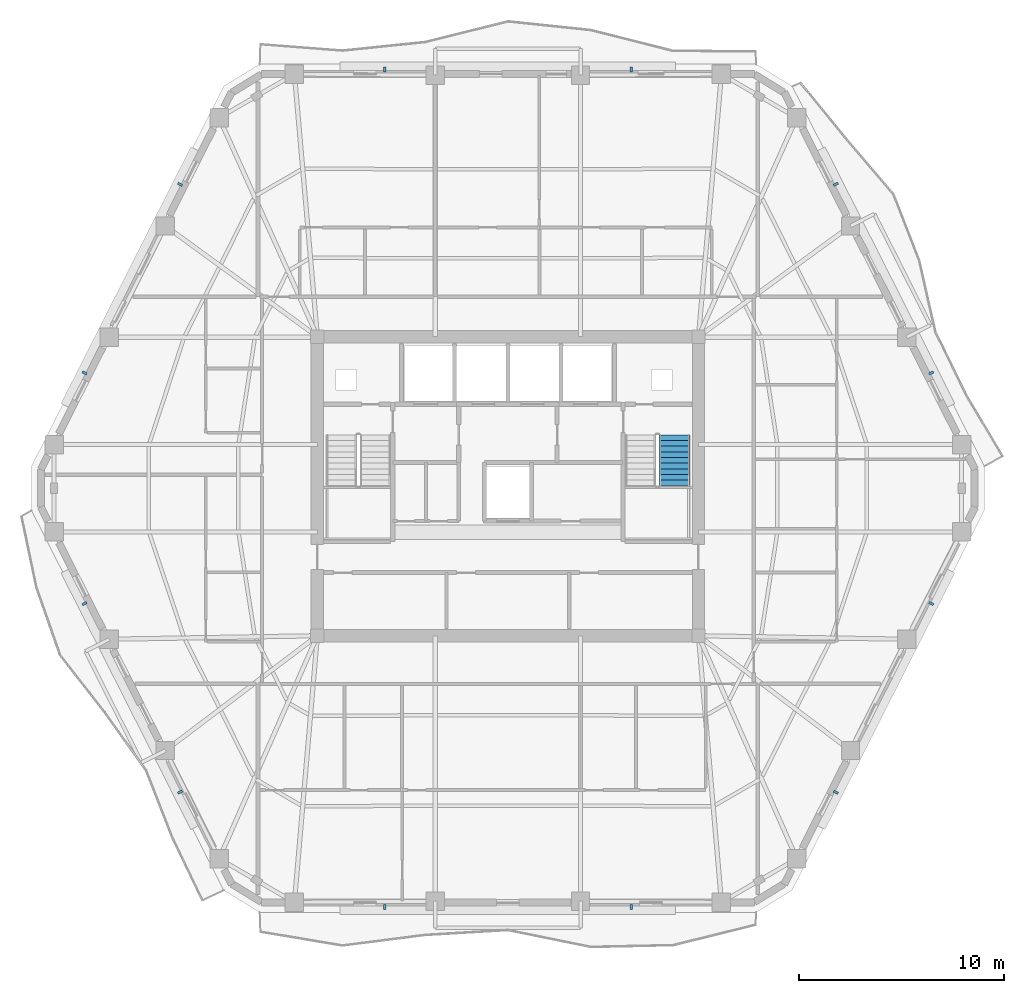
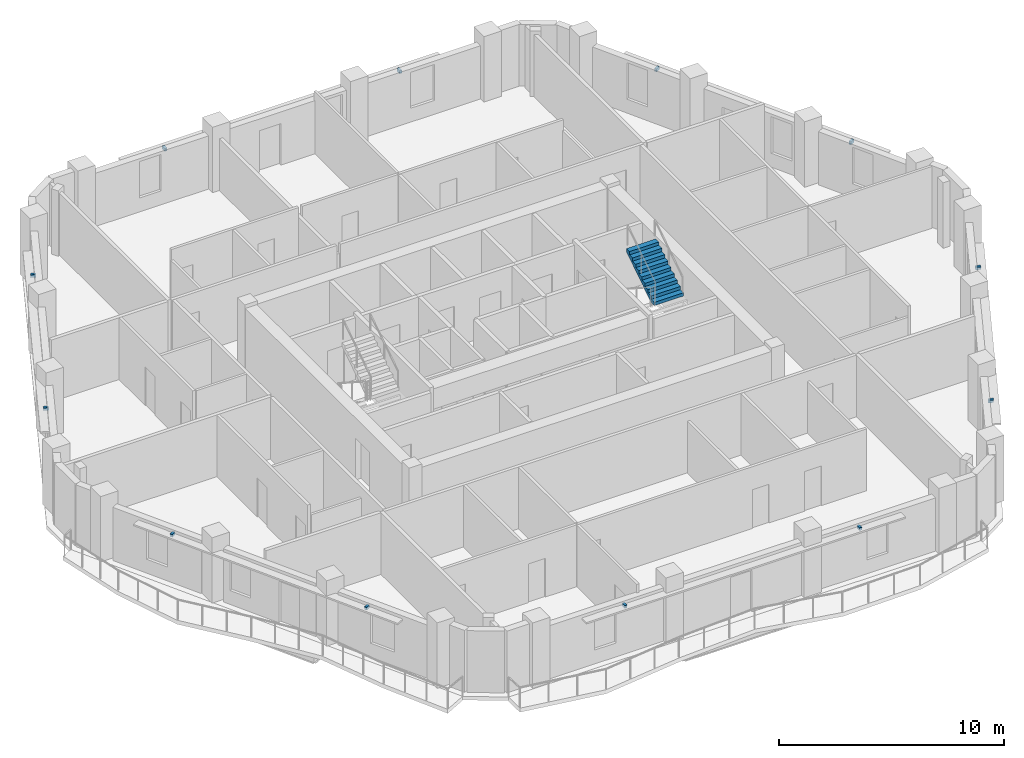
# One storey, part 8 of 11: 12 discrete accessories, 1 stair flight, 1 element without a shape of its own.
"""IFC4 building model written with IfcOpenShell, lengths in metres."""

from ifc_helpers import new_model, si_unit, direction, frame, origin, origin_2d, place, context, subcontext, project, spatial, polyline, rectangle, outline, extrude, material, type_object, element, aggregate, save


model = new_model("IFC4")

# Units and contexts
model_context = context("Model", 3, precision=1e-05, world=origin(), true_north=direction((0.0, 1.0)))
body_context = subcontext(model_context, "Body", "Model", "MODEL_VIEW")
ifc_project = project(units=[si_unit("LENGTHUNIT", "METRE"), si_unit("AREAUNIT", "SQUARE_METRE"), si_unit("VOLUMEUNIT", "CUBIC_METRE"), si_unit("PLANEANGLEUNIT", "RADIAN"), si_unit("MASSUNIT", "GRAM", prefix="KILO")], contexts=[model_context])

# Site, building, storey
site_placement = place(None, origin())
site = spatial("IfcSite", under=ifc_project, at=site_placement, CompositionType="ELEMENT")
building_placement = place(site_placement, origin())
building = spatial("IfcBuilding", under=site, at=building_placement, Name="Cinnabar Lancet Tower", CompositionType="ELEMENT")
storey_placement = place(building_placement, frame((0.0, 0.0, 196.75)))
storey = spatial("IfcBuildingStorey", under=building, at=storey_placement, Name="L52", CompositionType="ELEMENT", Elevation=196.75)

# Stair, stair flight
ifc_material_1 = material(Name="Concrete C40/50", Category="concrete")
stair_type = type_object("IfcStairType", Name="ST-CORE", PredefinedType="HALF_TURN_STAIR", material=ifc_material_1)
stair_placement = place(storey_placement, origin())
stair = element("IfcStair", 1, at=stair_placement, inside=storey, type_object=stair_type, Name="L52 ST-2", PredefinedType="HALF_TURN_STAIR")
ifc_material_2 = material(Name="Concrete C40/50", Category="concrete")
stair_flight_type = type_object("IfcStairFlightType", Name="FLIGHT-CORE", PredefinedType="STRAIGHT", material=ifc_material_2)
stair_flight_placement = place(storey_placement, frame((40.52490234375, 25.925048828125, 1.77490234375), z_axis=(0.0, 0.0, 1.0), x_axis=(0.0, 1.0, 0.0)))
stair_flight = element("IfcStairFlight", 2, at=stair_flight_placement, type_object=stair_flight_type, Name="ST-2 flight 2", NumberOfRisers=10, NumberOfTreads=9, PredefinedType="STRAIGHT", RiserHeight=0.1775, TreadLength=0.275, context=body_context, shape_type="SweptSolid", body=[
    extrude(outline(polyline([(0.0, 0.0), (0.0, 0.177490234375), (0.27490234375, 0.177490234375), (0.27490234375, 0.35498046875), (0.550048828125, 0.35498046875), (0.550048828125, 0.532470703125), (0.824951171875, 0.532470703125), (0.824951171875, 0.7099609375), (1.10009765625, 0.7099609375), (1.10009765625, 0.887451171875), (1.375, 0.887451171875), (1.375, 1.06494140625), (1.64990234375, 1.06494140625), (1.64990234375, 1.242431640625), (1.925048828125, 1.242431640625), (1.925048828125, 1.419921875), (2.199951171875, 1.419921875), (2.199951171875, 1.597412109375), (2.47509765625, 1.597412109375), (2.47509765625, 1.77490234375), (2.47509765625, 1.419189453125), (0.2763671875, 0.0), (0.0, 0.0)])), frame((0.0, 0.75, 0.0), z_axis=(0.0, -1.0, 0.0), x_axis=(1.0, 0.0, 0.0)), (0.0, 0.0, 1.0), 1.5),
])
aggregate(stair, [stair_flight])

# Discrete accessories
ifc_material_3 = material(Name="Stainless steel 316 facade fixing bracket", Category="steel")
discrete_accessory_type = type_object("IfcDiscreteAccessoryType", Name="ENV-ACC-BRK-180", PredefinedType="BRACKET", material=ifc_material_3)
for number, where, z_axis, x_axis, name in (
    (3, (26.381103515625, 5.360107421875, 2.60009765625), (0.0, 0.0, 1.0), (1.0, 0.0, 0.0), "L52 Face 1 Sunshade Bracket A"),
    (4, (38.4189453125, 5.360107421875, 2.60009765625), (0.0, 0.0, 1.0), (1.0, 0.0, 0.0), "L52 Face 1 Sunshade Bracket B"),
    (5, (48.403076171875, 10.965087890625, 2.60009765625), (0.0, 0.0, 1.0), (0.45140713236, 0.892318105193, 0.0), "L52 Face 2 Sunshade Bracket A"),
    (6, (53.06201171875, 20.174072265625, 2.60009765625), (0.0, 0.0, 1.0), (0.45140713236, 0.892318105193, 0.0), "L52 Face 2 Sunshade Bracket B"),
    (7, (53.06201171875, 31.426025390625, 2.60009765625), (0.0, 0.0, 1.0), (-0.45140713236, 0.892318105193, 0.0), "L52 Face 3 Sunshade Bracket A"),
    (8, (48.403076171875, 40.635009765625, 2.60009765625), (0.0, 0.0, 1.0), (-0.45140713236, 0.892318105193, 0.0), "L52 Face 3 Sunshade Bracket B"),
    (9, (38.4189453125, 46.239990234375, 2.60009765625), (0.0, 0.0, 1.0), (-1.0, 0.0, 0.0), "L52 Face 4 Sunshade Bracket A"),
    (10, (26.381103515625, 46.239990234375, 2.60009765625), (0.0, 0.0, 1.0), (-1.0, 0.0, 0.0), "L52 Face 4 Sunshade Bracket B"),
    (11, (16.39697265625, 40.635009765625, 2.60009765625), (0.0, 0.0, 1.0), (-0.45140713236, -0.892318105193, 0.0), "L52 Face 5 Sunshade Bracket A"),
    (12, (11.738037109375, 31.426025390625, 2.60009765625), (0.0, 0.0, 1.0), (-0.45140713236, -0.892318105193, 0.0), "L52 Face 5 Sunshade Bracket B"),
    (13, (11.738037109375, 20.174072265625, 2.60009765625), (0.0, 0.0, 1.0), (0.45140713236, -0.892318105193, 0.0), "L52 Face 6 Sunshade Bracket A"),
    (14, (16.39697265625, 10.965087890625, 2.60009765625), (0.0, 0.0, 1.0), (0.45140713236, -0.892318105193, 0.0), "L52 Face 6 Sunshade Bracket B"),
):
    element("IfcDiscreteAccessory", number, at=place(storey_placement, frame(where, z_axis=z_axis, x_axis=x_axis)), inside=storey, type_object=discrete_accessory_type, Name=name, PredefinedType="BRACKET", context=body_context, shape_type="SweptSolid", body=[
        extrude(rectangle(XDim=0.1201171875, YDim=0.239990234375, at=origin_2d()), origin(), (0.0, 0.0, 1.0), 0.159912109375),
    ])

save(model, "model.ifc")
